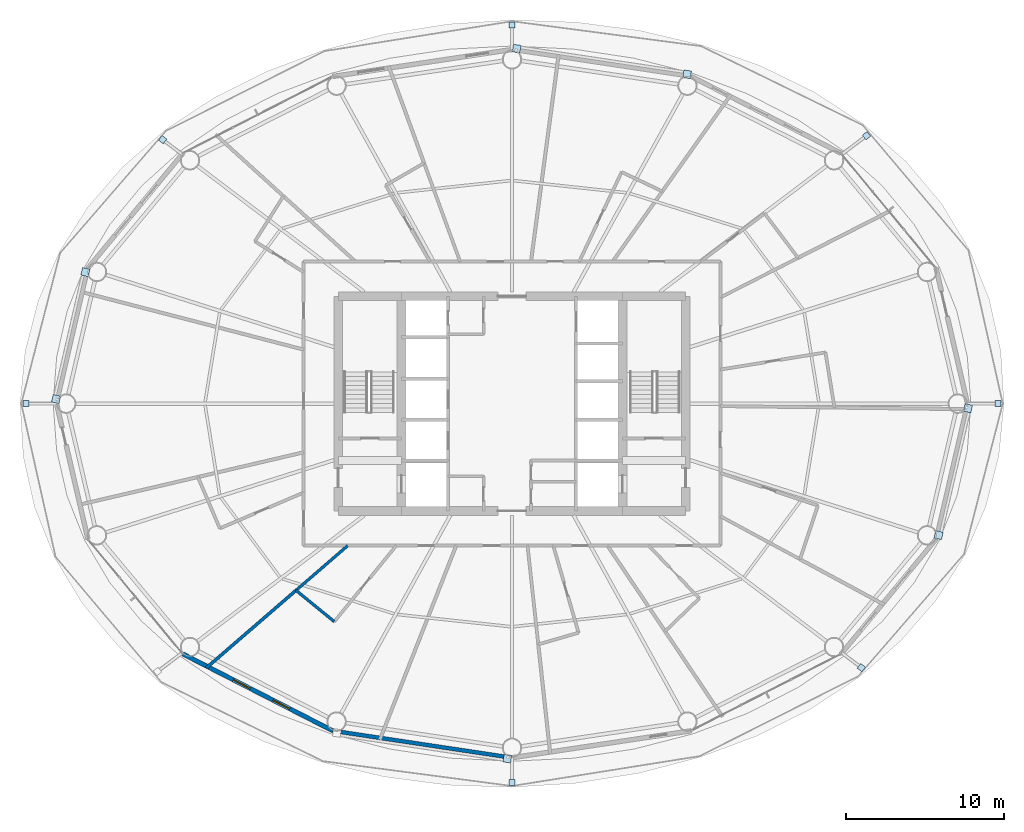
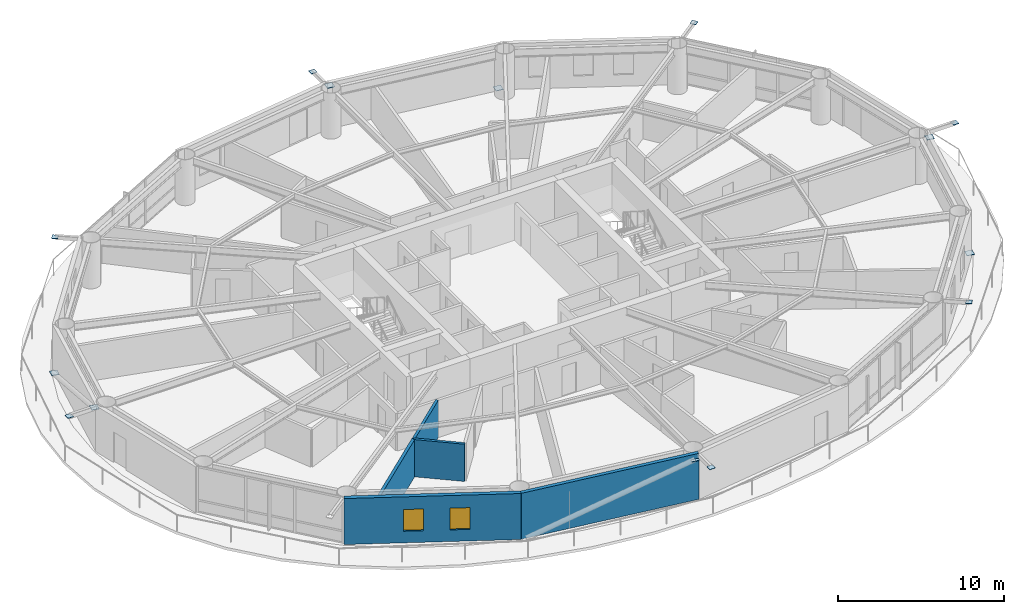
# One storey, part 17 of 24: 14 plates, 5 walls, 2 windows, 2 openings.
"""IFC4 building model written with IfcOpenShell, lengths in metres."""

from ifc_helpers import new_model, si_unit, direction, frame, frame_2d, origin, origin_2d, place, context, subcontext, project, spatial, rectangle, extrude, material, layer, layer_set, type_object, element, fill, save


model = new_model("IFC4")

# Units and contexts
model_context = context("Model", 3, precision=1e-05, world=origin(), true_north=direction((0.0, 1.0)))
body_context = subcontext(model_context, "Body", "Model", "MODEL_VIEW")
ifc_project = project(units=[si_unit("LENGTHUNIT", "METRE"), si_unit("AREAUNIT", "SQUARE_METRE"), si_unit("VOLUMEUNIT", "CUBIC_METRE"), si_unit("PLANEANGLEUNIT", "RADIAN"), si_unit("MASSUNIT", "GRAM", prefix="KILO")], contexts=[model_context])

# Site, building, storey
site_placement = place(None, origin())
site = spatial("IfcSite", under=ifc_project, at=site_placement, CompositionType="ELEMENT")
building_placement = place(site_placement, origin())
building = spatial("IfcBuilding", under=site, at=building_placement, Name="Sarneth Arch Tower", CompositionType="ELEMENT")
storey_placement = place(building_placement, frame((0.0, 0.0, 112.800048828125)))
storey = spatial("IfcBuildingStorey", under=building, at=storey_placement, Name="L28", CompositionType="ELEMENT", Elevation=112.800048828125)

# Plates
ifc_material_1 = material(Name="Steel S355", Category="steel")
ifc_layer_1 = layer(ifc_material_1, 0.035888671875)
ifc_layer_set_1 = layer_set([ifc_layer_1], Name="Steel S355")
plate_type = type_object("IfcPlateType", Name="PLT-GUSSET-30", PredefinedType="SHEET", material=ifc_layer_set_1)
for number, where, z_axis, x_axis, name in (
    (1, (78.795654296875, 42.0, 3.2021484375), (0.0, 0.0, 1.0), (1.0, 0.0, 0.0), "Steel end cap plate GP-1"),
    (2, (70.45556640625, 58.969970703125, 3.2021484375), (0.0, 0.0, 1.0), (0.797794439539, 0.602929541689, 0.0), "Steel end cap plate GP-1"),
):
    element("IfcPlate", number, at=place(storey_placement, frame(where, z_axis=z_axis, x_axis=x_axis)), inside=storey, type_object=plate_type, Name=name, PredefinedType="SHEET", context=body_context, shape_type="SweptSolid", body=[
        extrude(rectangle(XDim=0.3798828125, YDim=0.3798828125, at=origin_2d()), origin(), (0.0, 0.0, 1.0), 0.035888671875),
    ])
for number, where, z_axis, x_axis, name in (
    (3, (59.0927734375, 62.859619140625, 0.001953125), (0.0, 0.0, 1.0), (-0.988860535448, 0.148845024885, 0.0), "Steel end cap plate GP-1"),
    (4, (48.296630859375, 64.4853515625, 2.99462890625), (0.0, 0.0, 1.0), (-0.988860535448, 0.148845024885, 0.0), "Steel end cap plate GP-1"),
):
    element("IfcPlate", number, at=place(storey_placement, frame(where, z_axis=z_axis, x_axis=x_axis)), inside=storey, type_object=plate_type, Name=name, PredefinedType="SHEET", context=body_context, shape_type="SweptSolid", body=[
        extrude(rectangle(XDim=0.486083984375, YDim=0.486083984375, at=origin_2d()), origin(), (0.0, 0.0, 1.0), 0.035888671875),
    ])
for number, where, z_axis, x_axis, name in (
    (5, (48.0, 65.990966796875, 3.2021484375), (0.0, 0.0, 1.0), (0.0, 1.0, 0.0), "Steel end cap plate GP-1"),
    (6, (25.87060546875, 58.7236328125, 3.2021484375), (0.0, 0.0, 1.0), (-0.797794439539, 0.602929541689, 0.0), "Steel end cap plate GP-1"),
):
    element("IfcPlate", number, at=place(storey_placement, frame(where, z_axis=z_axis, x_axis=x_axis)), inside=storey, type_object=plate_type, Name=name, PredefinedType="SHEET", context=body_context, shape_type="SweptSolid", body=[
        extrude(rectangle(XDim=0.3798828125, YDim=0.3798828125, at=origin_2d()), origin(), (0.0, 0.0, 1.0), 0.035888671875),
    ])
for number, where, z_axis, x_axis, name in (
    (7, (20.98046875, 50.32958984375, 0.001953125), (0.0, 0.0, 1.0), (-0.225291159947, -0.974291482694, 0.0), "Steel end cap plate GP-1"),
    (8, (19.121337890625, 42.292236328125, 2.99462890625), (0.0, 0.0, 1.0), (-0.225291159947, -0.974291482694, 0.0), "Steel end cap plate GP-1"),
):
    element("IfcPlate", number, at=place(storey_placement, frame(where, z_axis=z_axis, x_axis=x_axis)), inside=storey, type_object=plate_type, Name=name, PredefinedType="SHEET", context=body_context, shape_type="SweptSolid", body=[
        extrude(rectangle(XDim=0.486083984375, YDim=0.486083984375, at=origin_2d()), origin(), (0.0, 0.0, 1.0), 0.035888671875),
    ])
plate_1_placement = place(storey_placement, frame((17.204345703125, 42.0, 3.2021484375), z_axis=(0.0, 0.0, 1.0), x_axis=(-1.0, 0.0, 0.0)))
element("IfcPlate", 9, at=plate_1_placement, inside=storey, type_object=plate_type, Name="Steel end cap plate GP-1", PredefinedType="SHEET", context=body_context, shape_type="SweptSolid", body=[
    extrude(rectangle(XDim=0.3798828125, YDim=0.3798828125, at=origin_2d()), origin(), (0.0, 0.0, 1.0), 0.035888671875),
])
plate_2_placement = place(storey_placement, frame((47.703369140625, 19.5146484375, 2.99462890625), z_axis=(0.0, 0.0, 1.0), x_axis=(0.988860535448, -0.148845024885, 0.0)))
element("IfcPlate", 10, at=plate_2_placement, inside=storey, type_object=plate_type, Name="Steel end cap plate GP-1", PredefinedType="SHEET", context=body_context, shape_type="SweptSolid", body=[
    extrude(rectangle(XDim=0.486083984375, YDim=0.486083984375, at=origin_2d()), origin(), (0.0, 0.0, 1.0), 0.035888671875),
])
for number, where, z_axis, x_axis, name in (
    (11, (48.0, 18.009033203125, 3.2021484375), (0.0, 0.0, 1.0), (0.0, -1.0, 0.0), "Steel end cap plate GP-1"),
    (12, (70.12939453125, 25.2763671875, 3.2021484375), (0.0, 0.0, 1.0), (0.797794439539, -0.602929541689, 0.0), "Steel end cap plate GP-1"),
):
    element("IfcPlate", number, at=place(storey_placement, frame(where, z_axis=z_axis, x_axis=x_axis)), inside=storey, type_object=plate_type, Name=name, PredefinedType="SHEET", context=body_context, shape_type="SweptSolid", body=[
        extrude(rectangle(XDim=0.3798828125, YDim=0.3798828125, at=origin_2d()), origin(), (0.0, 0.0, 1.0), 0.035888671875),
    ])
for number, where, z_axis, x_axis, name in (
    (13, (75.01953125, 33.67041015625, 0.001953125), (0.0, 0.0, 1.0), (0.225291159947, 0.974291482694, 0.0), "Steel end cap plate GP-1"),
    (14, (76.878662109375, 41.707763671875, 2.99462890625), (0.0, 0.0, 1.0), (0.225291159947, 0.974291482694, 0.0), "Steel end cap plate GP-1"),
):
    element("IfcPlate", number, at=place(storey_placement, frame(where, z_axis=z_axis, x_axis=x_axis)), inside=storey, type_object=plate_type, Name=name, PredefinedType="SHEET", context=body_context, shape_type="SweptSolid", body=[
        extrude(rectangle(XDim=0.486083984375, YDim=0.486083984375, at=origin_2d()), origin(), (0.0, 0.0, 1.0), 0.035888671875),
    ])

# Wall
ifc_material_2 = material(Name="Extruded terracotta rainscreen on Concrete C40/50 backing", Category="masonry")
ifc_layer_2 = layer(ifc_material_2, 0.25)
ifc_layer_set_2 = layer_set([ifc_layer_2], Name="Extruded terracotta rainscreen on Concrete C40/50 backing")
wall_type_1 = type_object("IfcWallType", Name="WALL-EXT-SPAND-250", PredefinedType="SOLIDWALL", material=ifc_layer_set_2)
wall_1_placement = place(storey_placement, frame((36.648681640625, 21.27734375, 0.0), z_axis=(0.0, 0.0, 1.0), x_axis=(0.988877774656, -0.148730450117, 0.0)))
element("IfcWall", 15, at=wall_1_placement, inside=storey, type_object=wall_type_1, Name="L28 Terracotta perimeter wall 12", PredefinedType="SOLIDWALL", context=body_context, shape_type="SweptSolid", body=[
    extrude(rectangle(XDim=11.47900390625, YDim=0.25, at=frame_2d((5.739501953125, 0.0))), origin(), (0.0, 0.0, 1.0), 3.3798828125),
])

# Wall, openings, windows
ifc_material_3 = material(Name="Extruded terracotta rainscreen on Concrete C40/50 backing", Category="masonry")
ifc_layer_3 = layer(ifc_material_3, 0.280029296875)
ifc_layer_set_3 = layer_set([ifc_layer_3], Name="Extruded terracotta rainscreen on Concrete C40/50 backing")
wall_type_2 = type_object("IfcWallType", Name="WALL-EXT-TERRA-280", PredefinedType="SOLIDWALL", material=ifc_layer_set_3)
wall_2_placement = place(storey_placement, frame((27.159912109375, 26.1396484375, 0.0), z_axis=(0.0, 0.0, 1.0), x_axis=(0.889959505023, -0.45603955905, 0.0)))
wall_2 = element("IfcWall", 16, at=wall_2_placement, inside=storey, type_object=wall_type_2, Name="L28 Terracotta perimeter wall 11", PredefinedType="SOLIDWALL", context=body_context, shape_type="SweptSolid", body=[
    extrude(rectangle(XDim=10.662109375, YDim=0.280029296875, at=frame_2d((5.3310546875, 0.0))), origin(), (0.0, 0.0, 1.0), 3.3798828125),
])
opening_1_placement = place(wall_2_placement, frame((3.580810546875, 0.0, 0.85009765625)))
opening_1 = element("IfcOpeningElement", 17, at=opening_1_placement, cuts=wall_2, Name="Opening W-10", PredefinedType="OPENING", context=body_context, shape_type="SweptSolid", body=[
    extrude(rectangle(XDim=1.199951171875, YDim=1.60009765625, at=frame_2d((0.60009765625, 0.800048828125))), frame((0.0, 0.14990234375, 0.0), z_axis=(0.0, -1.0, 0.0), x_axis=(1.0, 0.0, 0.0)), (0.0, 0.0, 1.0), 0.300048828125),
])
opening_2_placement = place(wall_2_placement, frame((6.395751953125, 0.0, 0.85009765625)))
opening_2 = element("IfcOpeningElement", 18, at=opening_2_placement, cuts=wall_2, Name="Opening W-10", PredefinedType="OPENING", context=body_context, shape_type="SweptSolid", body=[
    extrude(rectangle(XDim=1.199951171875, YDim=1.60009765625, at=frame_2d((0.60009765625, 0.800048828125))), frame((0.0, 0.14990234375, 0.0), z_axis=(0.0, -1.0, 0.0), x_axis=(1.0, 0.0, 0.0)), (0.0, 0.0, 1.0), 0.300048828125),
])
ifc_material_4 = material(Name="Thermally broken Aluminium 6063-T6 and low-e laminated IGU", Category="aluminium")
window_type = type_object("IfcWindowType", Name="WIN-TWR-1200x1600", PartitioningType="SINGLE_PANEL", PredefinedType="WINDOW", material=ifc_material_4)
window_1_placement = place(opening_1_placement, origin())
window_1 = element("IfcWindow", 19, at=window_1_placement, inside=storey, type_object=window_type, Name="L28 Exterior window 11A", OverallHeight=1.60009765625, OverallWidth=1.199951171875, PartitioningType="SINGLE_PANEL", PredefinedType="WINDOW", context=body_context, shape_type="SweptSolid", body=[
    extrude(rectangle(XDim=1.199951171875, YDim=1.60009765625, at=frame_2d((0.60009765625, 0.800048828125))), frame((0.0, 0.030029296875, 0.0), z_axis=(0.0, -1.0, 0.0), x_axis=(1.0, 0.0, 0.0)), (0.0, 0.0, 1.0), 0.06005859375),
])
fill(opening_1, window_1)
window_2_placement = place(opening_2_placement, origin())
window_2 = element("IfcWindow", 20, at=window_2_placement, inside=storey, type_object=window_type, Name="L28 Exterior window 11B", OverallHeight=1.60009765625, OverallWidth=1.199951171875, PartitioningType="SINGLE_PANEL", PredefinedType="WINDOW", context=body_context, shape_type="SweptSolid", body=[
    extrude(rectangle(XDim=1.199951171875, YDim=1.60009765625, at=frame_2d((0.60009765625, 0.800048828125))), frame((0.0, 0.030029296875, 0.0), z_axis=(0.0, -1.0, 0.0), x_axis=(1.0, 0.0, 0.0)), (0.0, 0.0, 1.0), 0.06005859375),
])
fill(opening_2, window_2)

# Walls
ifc_material_5 = material(Name="Moisture-resistant plumbing chase wall", Category="gypsum")
ifc_layer_4 = layer(ifc_material_5, 0.179931640625)
ifc_layer_set_4 = layer_set([ifc_layer_4], Name="Moisture-resistant plumbing chase wall")
wall_type_3 = type_object("IfcWallType", Name="WALL-PLUMB-180", PredefinedType="PLUMBINGWALL", material=ifc_layer_set_4)
wall_3_placement = place(storey_placement, frame((34.318603515625, 30.171142578125, 0.0), z_axis=(0.0, 0.0, 1.0), x_axis=(0.756448461864, 0.654053304053, 0.0)))
element("IfcWall", 21, at=wall_3_placement, inside=storey, type_object=wall_type_3, Name="L28 Interior partition W-L28-TP-051", PredefinedType="PLUMBINGWALL", context=body_context, shape_type="SweptSolid", body=[
    extrude(rectangle(XDim=4.3251953125, YDim=0.179931640625, at=frame_2d((2.16259765625, 0.0))), origin(), (0.0, 0.0, 1.0), 2.739990234375),
])
wall_4_placement = place(storey_placement, frame((36.745361328125, 28.193115234375, 0.0), z_axis=(0.0, 0.0, 1.0), x_axis=(-0.775130314585, 0.631801389212, 0.0)))
element("IfcWall", 22, at=wall_4_placement, inside=storey, type_object=wall_type_3, Name="L28 Interior partition W-L28-TP-053", PredefinedType="PLUMBINGWALL", context=body_context, shape_type="SweptSolid", body=[
    extrude(rectangle(XDim=3.130859375, YDim=0.179931640625, at=frame_2d((1.5654296875, 0.0))), origin(), (0.0, 0.0, 1.0), 2.739990234375),
])
ifc_material_6 = material(Name="Double steel-stud acoustic drywall", Category="steel")
ifc_layer_5 = layer(ifc_material_6, 0.199951171875)
ifc_layer_set_5 = layer_set([ifc_layer_5], Name="Double steel-stud acoustic drywall")
wall_type_4 = type_object("IfcWallType", Name="WALL-UNIT-200", PredefinedType="PARTITIONING", material=ifc_layer_set_5)
wall_5_placement = place(storey_placement, frame((28.635986328125, 25.25830078125, 0.0), z_axis=(0.0, 0.0, 1.0), x_axis=(0.756485284597, 0.654010714124, 0.0)))
element("IfcWall", 23, at=wall_5_placement, inside=storey, type_object=wall_type_4, Name="L28 Interior partition W-L28-TP-050", PredefinedType="PARTITIONING", context=body_context, shape_type="SweptSolid", body=[
    extrude(rectangle(XDim=7.511962890625, YDim=0.199951171875, at=frame_2d((3.755859375, 0.0))), origin(), (0.0, 0.0, 1.0), 2.739990234375),
])

save(model, "model.ifc")
